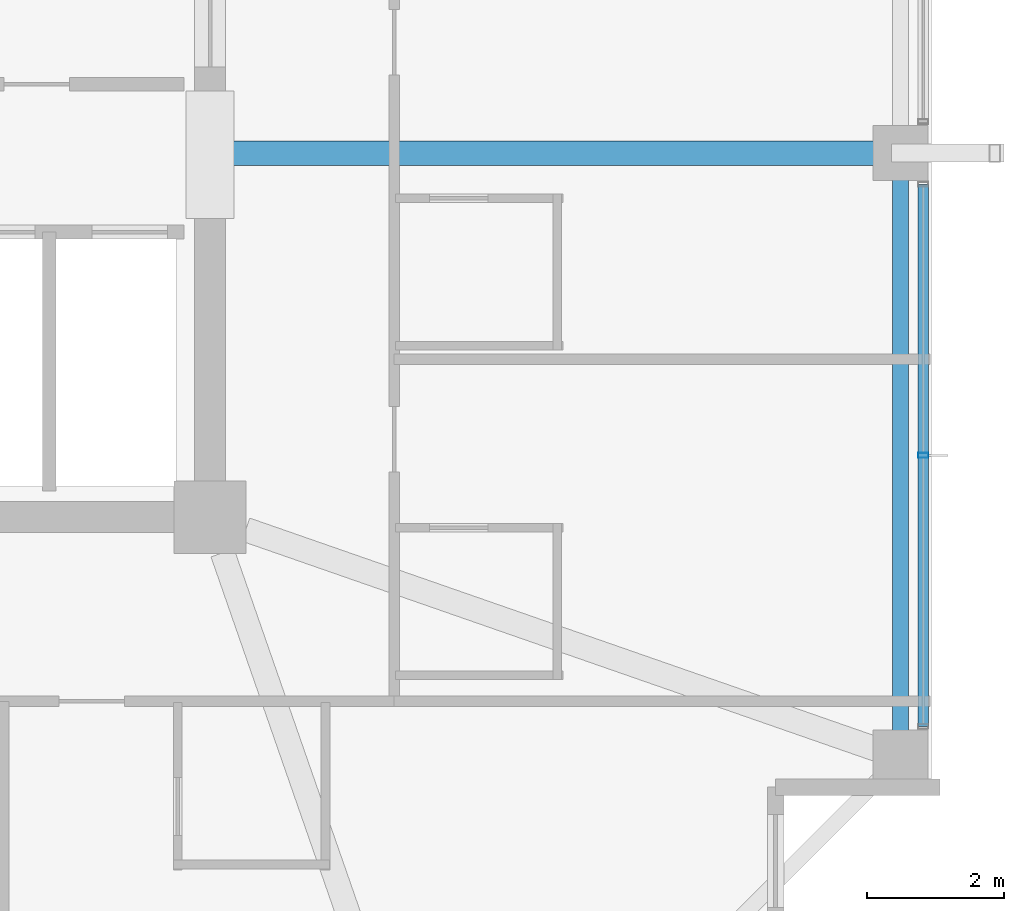
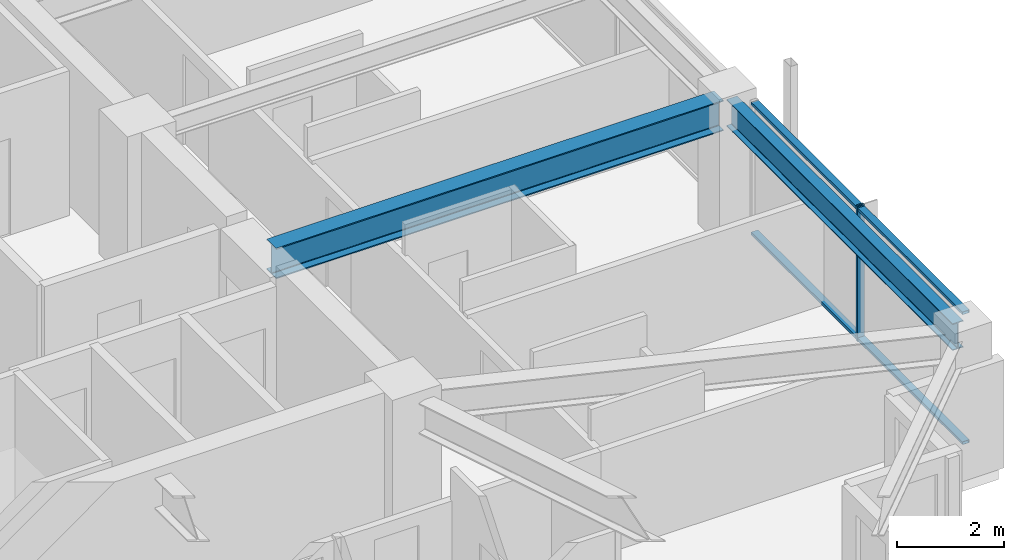
# One storey, part 13 of 38: 3 members, 2 beams, 1 element without a shape of its own.
"""IFC4 building model written with IfcOpenShell, lengths in metres."""

from ifc_helpers import new_model, si_unit, direction, frame, origin, origin_2d, place, context, subcontext, project, spatial, hollow_rectangle, i_section, extrude, material, material_profile, profile_set, type_object, element, aggregate, save


model = new_model("IFC4")

# Units and contexts
model_context = context("Model", 3, precision=1e-05, world=origin(), true_north=direction((0.0, 1.0)))
body_context = subcontext(model_context, "Body", "Model", "MODEL_VIEW")
ifc_project = project(units=[si_unit("LENGTHUNIT", "METRE"), si_unit("AREAUNIT", "SQUARE_METRE"), si_unit("VOLUMEUNIT", "CUBIC_METRE"), si_unit("PLANEANGLEUNIT", "RADIAN"), si_unit("MASSUNIT", "GRAM", prefix="KILO")], contexts=[model_context])

# Site, building, storey
site_placement = place(None, origin())
site = spatial("IfcSite", under=ifc_project, at=site_placement, CompositionType="ELEMENT")
building_placement = place(site_placement, origin())
building = spatial("IfcBuilding", under=site, at=building_placement, Name="Kolvaren Belvedere", CompositionType="ELEMENT")
storey_placement = place(building_placement, frame((0.0, 0.0, 213.0)))
storey = spatial("IfcBuildingStorey", under=building, at=storey_placement, Name="L62", CompositionType="ELEMENT", Elevation=213.0)

# Beams
ifc_material_1 = material(Name="Structural steel ASTM A992 Grade 50", Category="steel")
ifc_material_profile_1 = material_profile(ifc_material_1, i_section(OverallWidth=0.35498046875, OverallDepth=0.696044921875, WebThickness=0.015380859375, FlangeThickness=0.02490234375, FilletRadius=0.02197265625, at=origin_2d()), Name="W27X146")
ifc_profile_set_1 = profile_set([ifc_material_profile_1], Name="Structural steel ASTM A992 Grade 50")
beam_type_1 = type_object("IfcBeamType", Name="BM-GIRD-W27X146", PredefinedType="BEAM", material=ifc_profile_set_1)
beam_1_placement = place(storey_placement, frame((10.125, -4.60009765625, 2.73193359375), z_axis=(1.0, 0.0, 0.0), x_axis=(0.0, 1.0, 0.0)))
element("IfcBeam", 1, at=beam_1_placement, inside=storey, type_object=beam_type_1, Name="L62 East Radial Girder M", PredefinedType="BEAM", context=body_context, shape_type="SweptSolid", body=[
    extrude(i_section(OverallWidth=0.35498046875, OverallDepth=0.696044921875, WebThickness=0.015380859375, FlangeThickness=0.02490234375, FilletRadius=0.02197265625, at=origin_2d()), origin(), (0.0, 0.0, 1.0), 9.64501953125),
])
ifc_material_2 = material(Name="Structural steel ASTM A992 Grade 50", Category="steel")
ifc_material_profile_2 = material_profile(ifc_material_2, i_section(OverallWidth=0.22900390625, OverallDepth=0.612060546875, WebThickness=0.011962890625, FlangeThickness=0.01953125, FilletRadius=0.01806640625, at=origin_2d()), Name="W24X84")
ifc_profile_set_2 = profile_set([ifc_material_profile_2], Name="Structural steel ASTM A992 Grade 50")
beam_type_2 = type_object("IfcBeamType", Name="BM-SPAN-W24X84", PredefinedType="SPANDREL", material=ifc_profile_set_2)
beam_2_placement = place(storey_placement, frame((19.949951171875, -13.219970703125, 2.77392578125), z_axis=(0.0, 1.0, 0.0), x_axis=(-1.0, 0.0, 0.0)))
element("IfcBeam", 2, at=beam_2_placement, inside=storey, type_object=beam_type_2, Name="L62 Perimeter Spandrel E1-E2", PredefinedType="SPANDREL", context=body_context, shape_type="SweptSolid", body=[
    extrude(i_section(OverallWidth=0.22900390625, OverallDepth=0.612060546875, WebThickness=0.011962890625, FlangeThickness=0.01953125, FilletRadius=0.01806640625, at=origin_2d()), origin(), (0.0, 0.0, 1.0), 8.43994140625),
])

# Curtain wall, members
ifc_material_3 = material(Name="Anodised pale-metal aluminium AA 6063-T6", Category="aluminium")
curtain_wall_type = type_object("IfcCurtainWallType", Name="CW-Z5-HIGH", PredefinedType="NOTDEFINED", material=ifc_material_3)
curtain_wall_placement = place(storey_placement, origin())
curtain_wall = element("IfcCurtainWall", 3, at=curtain_wall_placement, inside=storey, type_object=curtain_wall_type, Name="L62 Unitised Curtain Wall FCW-L62-E-B3", PredefinedType="NOTDEFINED")
ifc_material_4 = material(Name="Anodised pale-metal aluminium AA 6063-T6", Category="aluminium")
ifc_material_profile_3 = material_profile(ifc_material_4, hollow_rectangle(XDim=0.070068359375, YDim=0.14990234375, WallThickness=0.004150390625, at=origin_2d()), Name="ALU-MUL-150X70")
ifc_profile_set_3 = profile_set([ifc_material_profile_3], Name="Anodised pale-metal aluminium AA 6063-T6")
member_type_1 = type_object("IfcMemberType", Name="CW-MUL-150", PredefinedType="MULLION", material=ifc_profile_set_3)
member_1_placement = place(storey_placement, frame((20.280029296875, -9.0, 0.0), z_axis=(0.0, 0.0, 1.0), x_axis=(0.0, 1.0, 0.0)))
member_1 = element("IfcMember", 4, at=member_1_placement, type_object=member_type_1, Name="FCW-L62-E-B3 Unitised Mullion 2", PredefinedType="MULLION", context=body_context, shape_type="SweptSolid", body=[
    extrude(hollow_rectangle(XDim=0.070068359375, YDim=0.14990234375, WallThickness=0.004150390625, at=origin_2d()), origin(), (0.0, 0.0, 1.0), 3.080078125),
])
ifc_material_5 = material(Name="Anodised pale-metal aluminium AA 6063-T6", Category="aluminium")
ifc_material_profile_4 = material_profile(ifc_material_5, hollow_rectangle(XDim=0.06494140625, YDim=0.14990234375, WallThickness=0.00390625, at=origin_2d()), Name="ALU-TRN-150X65")
ifc_profile_set_4 = profile_set([ifc_material_profile_4], Name="Anodised pale-metal aluminium AA 6063-T6")
member_type_2 = type_object("IfcMemberType", Name="CW-TRN-150", PredefinedType="USERDEFINED", material=ifc_profile_set_4)
member_2_placement = place(storey_placement, frame((20.280029296875, -5.054931640625, 0.06005859375), z_axis=(0.0, -1.0, 0.0), x_axis=(0.0, 0.0, 1.0)))
member_2 = element("IfcMember", 5, at=member_2_placement, type_object=member_type_2, Name="FCW-L62-E-B3 Sill Transom", ObjectType="TRANSOM", PredefinedType="USERDEFINED", context=body_context, shape_type="SweptSolid", body=[
    extrude(hollow_rectangle(XDim=0.06494140625, YDim=0.14990234375, WallThickness=0.00390625, at=origin_2d()), origin(), (0.0, 0.0, 1.0), 7.89013671875),
])
member_3_placement = place(storey_placement, frame((20.280029296875, -5.054931640625, 3.02001953125), z_axis=(0.0, -1.0, 0.0), x_axis=(0.0, 0.0, 1.0)))
member_3 = element("IfcMember", 6, at=member_3_placement, type_object=member_type_2, Name="FCW-L62-E-B3 Head Transom", ObjectType="TRANSOM", PredefinedType="USERDEFINED", context=body_context, shape_type="SweptSolid", body=[
    extrude(hollow_rectangle(XDim=0.06494140625, YDim=0.14990234375, WallThickness=0.00390625, at=origin_2d()), origin(), (0.0, 0.0, 1.0), 7.89013671875),
])
aggregate(curtain_wall, [member_1, member_2, member_3])

save(model, "model.ifc")
